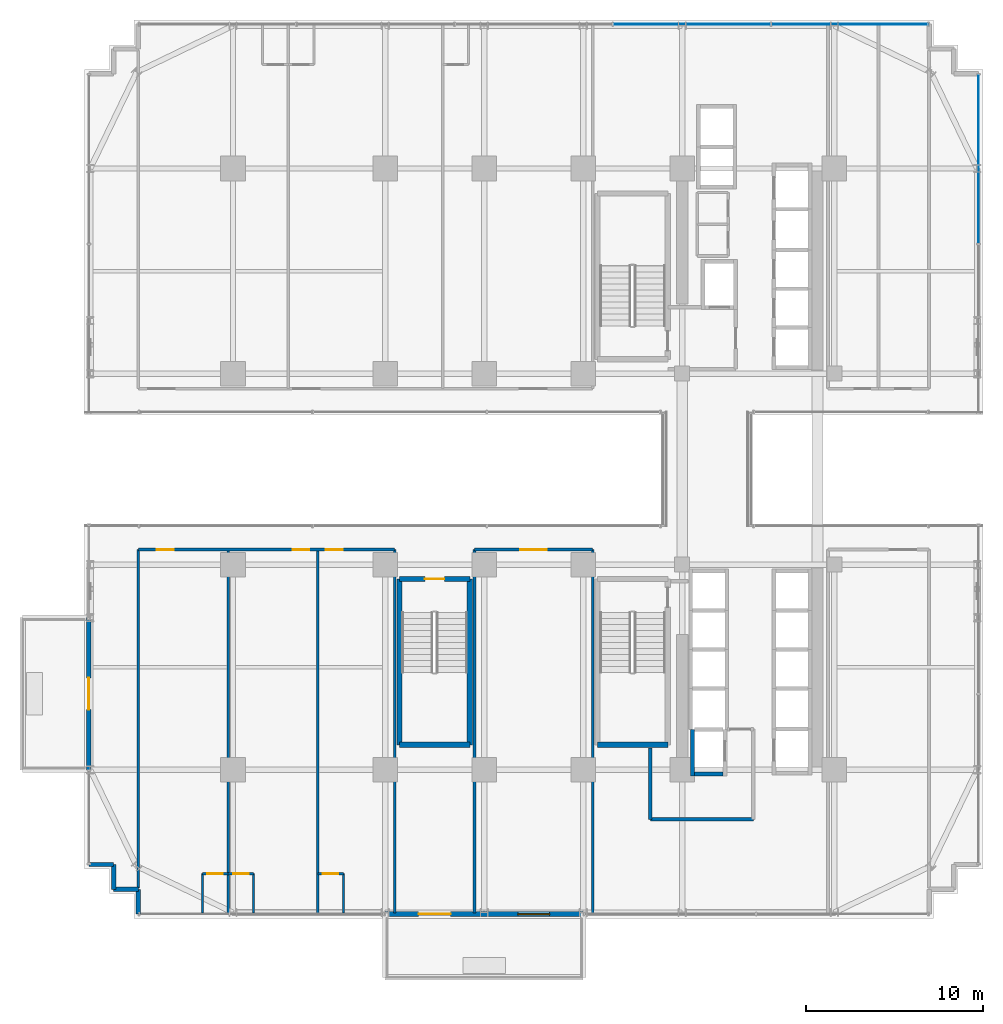
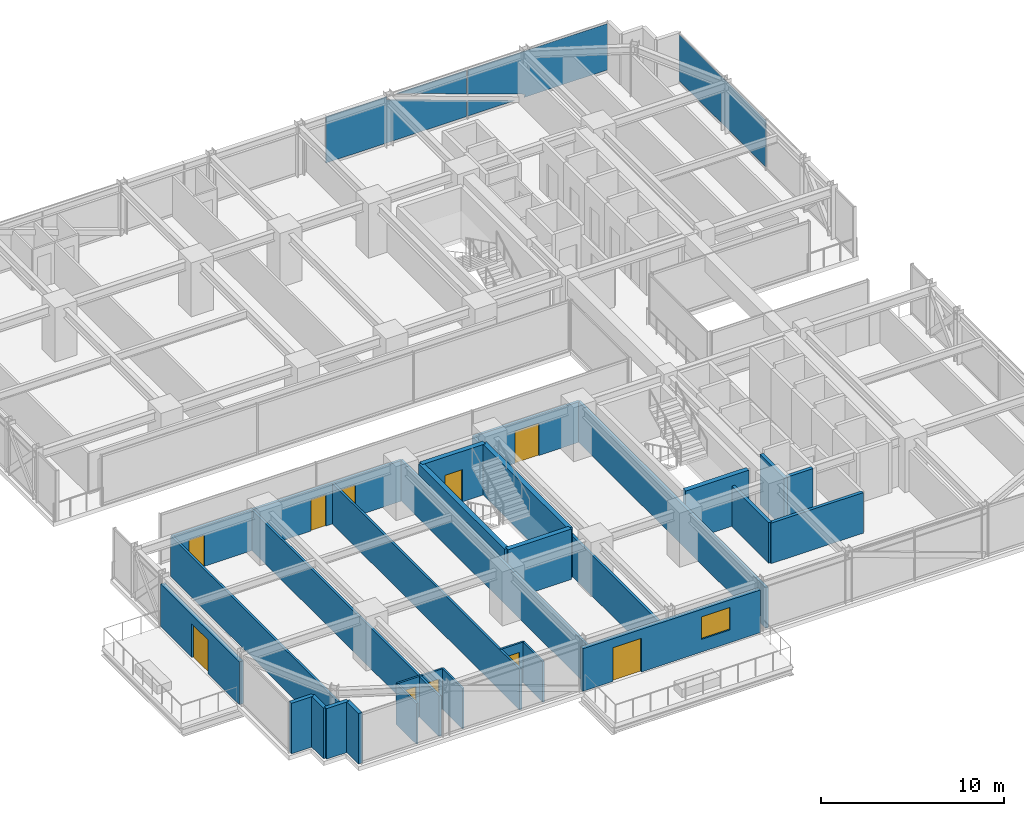
# One storey, part 31 of 38: 29 walls, 10 doors, 3 plates, 1 window, 11 openings, 2 elements without a shape of their own.
"""IFC4 building model written with IfcOpenShell, lengths in metres."""

from ifc_helpers import new_model, si_unit, direction, frame, frame_2d, origin, origin_2d, place, context, subcontext, project, spatial, polyline, rectangle, outline, extrude, source, transform, mapped, material, layer, layer_set, type_object, element, fill, aggregate, save


model = new_model("IFC4")

# Units and contexts
model_context = context("Model", 3, precision=1e-05, world=origin(), true_north=direction((0.0, 1.0)))
body_context = subcontext(model_context, "Body", "Model", "MODEL_VIEW")
ifc_project = project(units=[si_unit("LENGTHUNIT", "METRE"), si_unit("AREAUNIT", "SQUARE_METRE"), si_unit("VOLUMEUNIT", "CUBIC_METRE"), si_unit("PLANEANGLEUNIT", "RADIAN"), si_unit("MASSUNIT", "GRAM", prefix="KILO")], contexts=[model_context])

# Site, building, storey
site_placement = place(None, origin())
site = spatial("IfcSite", under=ifc_project, at=site_placement, CompositionType="ELEMENT")
building_placement = place(site_placement, origin())
building = spatial("IfcBuilding", under=site, at=building_placement, Name="Nahalor Promenade Grand Hotel", CompositionType="ELEMENT")
storey_placement = place(building_placement, frame((0.0, 0.0, 50.64990234375)))
storey = spatial("IfcBuildingStorey", under=building, at=storey_placement, Name="L11", CompositionType="ELEMENT", Elevation=50.64990234375)

# Curtain wall, plates
ifc_material_1 = material(Name="Anodised Bronze Aluminium EN AW-6063 T6", Category="aluminium")
curtain_wall_type = type_object("IfcCurtainWallType", Name="CW3 Elliptical-Void Collar Unitised Curtain Wall", PredefinedType="USERDEFINED", material=ifc_material_1)
curtain_wall_1_placement = place(storey_placement, origin())
curtain_wall_1 = element("IfcCurtainWall", 1, at=curtain_wall_1_placement, inside=storey, type_object=curtain_wall_type, Name="L11 Curtain Wall CW-L11-N-1", ObjectType="UNITISED_CURTAIN_WALL", PredefinedType="USERDEFINED")
ifc_material_2 = material(Name="Low-E Laminated Solar Glass", Category="glass")
ifc_layer_1 = layer(ifc_material_2, 0.030029296875)
ifc_layer_set_1 = layer_set([ifc_layer_1], Name="Low-E Laminated Solar Glass")
plate_type = type_object("IfcPlateType", Name="CWP3 High-Wind Laminated Bronze IGU 30mm", PredefinedType="CURTAIN_PANEL", material=ifc_layer_set_1)
plate_1_placement = place(storey_placement, frame((8.944091796875, 25.159912109375, 0.14013671875), z_axis=(0.0, 0.0, 1.0), x_axis=(1.0, 0.0, 0.0)))
plate_1 = element("IfcPlate", 2, at=plate_1_placement, type_object=plate_type, Name="CW-L11-N-1 Glazing Panel 3-0", PredefinedType="CURTAIN_PANEL", context=body_context, shape_type="SweptSolid", body=[
    extrude(outline(polyline([(-4.43701171875, 0.0), (4.43701171875, 0.0), (4.43701171875, 1.089599609375), (-0.634765625, 2.900146484375), (-0.56689453125, 3.090087890625), (-4.43701171875, 3.090087890625), (-4.43701171875, 0.0)])), frame((0.0, 0.01513671875, 0.0), z_axis=(0.0, -1.0, 0.0), x_axis=(1.0, 0.0, 0.0)), (0.0, 0.0, 1.0), 0.030029296875),
    extrude(outline(polyline([(4.43701171875, 1.51416015625), (4.43701171875, 3.090087890625), (0.02294921875, 3.090087890625), (4.43701171875, 1.51416015625)])), frame((0.0, 0.01513671875, 0.0), z_axis=(0.0, -1.0, 0.0), x_axis=(1.0, 0.0, 0.0)), (0.0, 0.0, 1.0), 0.030029296875),
])
plate_2_placement = place(storey_placement, frame((17.87060546875, 25.159912109375, 0.14013671875), z_axis=(0.0, 0.0, 1.0), x_axis=(1.0, 0.0, 0.0)))
plate_2 = element("IfcPlate", 3, at=plate_2_placement, type_object=plate_type, Name="CW-L11-N-1 Glazing Panel 4-0", PredefinedType="CURTAIN_PANEL", context=body_context, shape_type="SweptSolid", body=[
    extrude(outline(polyline([(4.41943359375, 3.090087890625), (-4.41943359375, 3.090087890625), (-4.41943359375, 1.4892578125), (-0.77978515625, 0.18994140625), (-0.847412109375, 0.0), (4.41943359375, 0.0), (4.41943359375, 3.090087890625)])), frame((0.0, 0.01513671875, 0.0), z_axis=(0.0, -1.0, 0.0), x_axis=(1.0, 0.0, 0.0)), (0.0, 0.0, 1.0), 0.030029296875),
    extrude(outline(polyline([(-4.41943359375, 1.064453125), (-4.41943359375, 0.0), (-1.437255859375, 0.0), (-4.41943359375, 1.064453125)])), frame((0.0, 0.01513671875, 0.0), z_axis=(0.0, -1.0, 0.0), x_axis=(1.0, 0.0, 0.0)), (0.0, 0.0, 1.0), 0.030029296875),
])
aggregate(curtain_wall_1, [plate_1, plate_2])

# Curtain wall, plate
curtain_wall_2_placement = place(storey_placement, origin())
curtain_wall_2 = element("IfcCurtainWall", 4, at=curtain_wall_2_placement, inside=storey, type_object=curtain_wall_type, Name="L11 Curtain Wall CW-L11-E-2", ObjectType="UNITISED_CURTAIN_WALL", PredefinedType="USERDEFINED")
shared_shape_1 = source(origin(), body_context, "Body", "SweptSolid", [
    extrude(rectangle(XDim=9.52490234375, YDim=0.030029296875, at=origin_2d()), origin(), (0.0, 0.0, 1.0), 3.090087890625),
])
plate_3_placement = place(storey_placement, frame((25.159912109375, 17.527587890625, 0.14013671875), z_axis=(0.0, 0.0, 1.0), x_axis=(0.0, 1.0, 0.0)))
plate_3 = element("IfcPlate", 5, at=plate_3_placement, type_object=plate_type, Name="CW-L11-E-2 Glazing Panel 1-0", PredefinedType="CURTAIN_PANEL", context=body_context, shape_type="MappedRepresentation", body=[
    mapped(shared_shape_1, transform((0.0, 0.0, 0.0), scale=1.0)),
])
aggregate(curtain_wall_2, [plate_3])

# Walls
ifc_material_3 = material(Name="Concrete B-50 (C40/50)", Category="concrete")
ifc_layer_2 = layer(ifc_material_3, 0.300048828125)
ifc_layer_set_2 = layer_set([ifc_layer_2], Name="Concrete B-50 (C40/50)")
wall_type_1 = type_object("IfcWallType", Name="Wall-ShaftShear-300", PredefinedType="SHEAR", material=ifc_layer_set_2)
shared_shape_2 = source(origin(), body_context, "Body", "SweptSolid", [
    extrude(rectangle(XDim=3.97998046875, YDim=0.300048828125, at=frame_2d((1.989990234375, 0.0))), origin(), (0.0, 0.0, 1.0), 3.3701171875),
])
for number, where, z_axis, x_axis, name in (
    (6, (3.610107421875, -15.590087890625, 0.0), (0.0, 0.0, 1.0), (1.0, 0.0, 0.0), "L11 Exit Stair ST2 Shaft Wall S"),
    (7, (-7.590087890625, -15.590087890625, 0.0), (0.0, 0.0, 1.0), (1.0, 0.0, 0.0), "L11 Exit Stair ST3 Shaft Wall S"),
):
    element("IfcWall", number, at=place(storey_placement, frame(where, z_axis=z_axis, x_axis=x_axis)), inside=storey, type_object=wall_type_1, Name=name, PredefinedType="SHEAR", context=body_context, shape_type="MappedRepresentation", body=[
        mapped(shared_shape_2, transform((0.0, 0.0, 0.0), scale=1.0)),
    ])

# Wall, opening, door
wall_1_placement = place(storey_placement, frame((-7.590087890625, -6.2099609375, 0.0), z_axis=(0.0, 0.0, 1.0), x_axis=(1.0, 0.0, 0.0)))
wall_1 = element("IfcWall", 8, at=wall_1_placement, inside=storey, type_object=wall_type_1, Name="L11 Exit Stair ST3 Shaft Wall N", PredefinedType="SHEAR", context=body_context, shape_type="MappedRepresentation", body=[
    mapped(shared_shape_2, transform((0.0, 0.0, 0.0), scale=1.0)),
])
opening_1_placement = place(wall_1_placement, frame((1.43994140625, 0.0, 0.0)))
opening_1 = element("IfcOpeningElement", 9, at=opening_1_placement, cuts=wall_1, Name="Opening D-ST1", PredefinedType="OPENING", context=body_context, shape_type="SweptSolid", body=[
    extrude(rectangle(XDim=1.10009765625, YDim=2.14990234375, at=frame_2d((0.550048828125, 1.074951171875))), frame((0.0, 0.159912109375, 0.0), z_axis=(0.0, -1.0, 0.0), x_axis=(1.0, 0.0, 0.0)), (0.0, 0.0, 1.0), 0.320068359375),
])
ifc_material_4 = material(Name="Steel S355JR", Category="steel")
door_type_1 = type_object("IfcDoorType", Name="Door-StairFire-1100", OperationType="NOTDEFINED", PredefinedType="DOOR", material=ifc_material_4)
shared_shape_3 = source(origin(), body_context, "Body", "SweptSolid", [
    extrude(rectangle(XDim=1.10009765625, YDim=2.14990234375, at=frame_2d((0.550048828125, 1.074951171875))), frame((0.0, 0.02490234375, 0.0), z_axis=(0.0, -1.0, 0.0), x_axis=(1.0, 0.0, 0.0)), (0.0, 0.0, 1.0), 0.050048828125),
])
door_1_placement = place(opening_1_placement, frame((1.10009765625, 0.0, 0.0), z_axis=(0.0, 0.0, 1.0), x_axis=(-1.0, 0.0, 0.0)))
door_1 = element("IfcDoor", 10, at=door_1_placement, inside=storey, type_object=door_type_1, Name="DR-STAIR-ST3-L11", OperationType="SINGLE_SWING_RIGHT", OverallHeight=2.14990234375, OverallWidth=1.10009765625, PredefinedType="DOOR", context=body_context, shape_type="MappedRepresentation", body=[
    mapped(shared_shape_3, transform((0.0, 0.0, 0.0), scale=1.0)),
])
fill(opening_1, door_1)

# Walls
shared_shape_4 = source(origin(), body_context, "Body", "SweptSolid", [
    extrude(rectangle(XDim=9.380126953125, YDim=0.300048828125, at=frame_2d((4.68994140625, 0.0))), origin(), (0.0, 0.0, 1.0), 3.3701171875),
])
for number, where, z_axis, x_axis, name in (
    (11, (-7.590087890625, -15.590087890625, 0.0), (0.0, 0.0, 1.0), (0.0, 1.0, 0.0), "L11 Exit Stair ST3 Shaft Wall W"),
    (12, (-3.610107421875, -15.590087890625, 0.0), (0.0, 0.0, 1.0), (0.0, 1.0, 0.0), "L11 Exit Stair ST3 Shaft Wall E"),
):
    element("IfcWall", number, at=place(storey_placement, frame(where, z_axis=z_axis, x_axis=x_axis)), inside=storey, type_object=wall_type_1, Name=name, PredefinedType="SHEAR", context=body_context, shape_type="MappedRepresentation", body=[
        mapped(shared_shape_4, transform((0.0, 0.0, 0.0), scale=1.0)),
    ])
ifc_layer_3 = layer(ifc_material_3, 0.219970703125)
ifc_layer_set_3 = layer_set([ifc_layer_3], Name="Concrete B-50 (C40/50)")
wall_type_2 = type_object("IfcWallType", Name="Wall-LiftShaft-220", PredefinedType="SHEAR", material=ifc_layer_set_3)
shared_shape_5 = source(origin(), body_context, "Body", "SweptSolid", [
    extrude(rectangle(XDim=2.635009765625, YDim=0.219970703125, at=frame_2d((1.3173828125, 0.0))), origin(), (0.0, 0.0, 1.0), 3.3701171875),
])
wall_2_placement = place(storey_placement, frame((8.97998046875, -17.360107421875, 0.0), z_axis=(0.0, 0.0, 1.0), x_axis=(0.0, 1.0, 0.0)))
element("IfcWall", 13, at=wall_2_placement, inside=storey, type_object=wall_type_2, Name="L11 Lift FL2 Hoistway Wall W", PredefinedType="SHEAR", context=body_context, shape_type="MappedRepresentation", body=[
    mapped(shared_shape_5, transform((0.0, 0.0, 0.0), scale=1.0)),
])
shared_shape_6 = source(origin(), body_context, "Body", "SweptSolid", [
    extrude(rectangle(XDim=1.619873046875, YDim=0.219970703125, at=frame_2d((0.81005859375, 0.0))), origin(), (0.0, 0.0, 1.0), 3.3701171875),
])
wall_3_placement = place(storey_placement, frame((9.090087890625, -17.25, 0.0), z_axis=(0.0, 0.0, 1.0), x_axis=(1.0, 0.0, 0.0)))
element("IfcWall", 14, at=wall_3_placement, inside=storey, type_object=wall_type_2, Name="L11 Lift FL2 Hoistway Wall S", PredefinedType="SHEAR", context=body_context, shape_type="MappedRepresentation", body=[
    mapped(shared_shape_6, transform((0.0, 0.0, 0.0), scale=1.0)),
])
ifc_material_5 = material(Name="Concrete B-40 (C32/40)", Category="concrete")
ifc_layer_4 = layer(ifc_material_5, 0.25)
ifc_layer_set_4 = layer_set([ifc_layer_4], Name="Concrete B-40 (C32/40)")
wall_type_3 = type_object("IfcWallType", Name="Wall-BronzePier-250", PredefinedType="STANDARD", material=ifc_layer_set_4)
shared_shape_7 = source(origin(), body_context, "Body", "SweptSolid", [
    extrude(rectangle(XDim=1.39990234375, YDim=0.25, at=frame_2d((0.699951171875, 0.0))), origin(), (0.0, 0.0, 1.0), 3.3701171875),
])
for number, where, z_axis, x_axis, name in (
    (15, (-25.159912109375, -22.360107421875, 0.0), (0.0, 0.0, 1.0), (1.0, 0.0, 0.0), "W-L11-SR-13"),
    (16, (-23.760009765625, -23.760009765625, 0.0), (0.0, 0.0, 1.0), (0.0, 1.0, 0.0), "W-L11-SR-14"),
    (17, (-23.760009765625, -23.760009765625, 0.0), (0.0, 0.0, 1.0), (1.0, 0.0, 0.0), "W-L11-SR-15"),
    (18, (-22.360107421875, -25.159912109375, 0.0), (0.0, 0.0, 1.0), (0.0, 1.0, 0.0), "W-L11-SR-16"),
):
    element("IfcWall", number, at=place(storey_placement, frame(where, z_axis=z_axis, x_axis=x_axis)), inside=storey, type_object=wall_type_3, Name=name, PredefinedType="STANDARD", context=body_context, shape_type="MappedRepresentation", body=[
        mapped(shared_shape_7, transform((0.0, 0.0, 0.0), scale=1.0)),
    ])

# Wall, opening, door
ifc_layer_5 = layer(ifc_material_5, 0.260009765625)
ifc_layer_set_5 = layer_set([ifc_layer_5], Name="Concrete B-40 (C32/40)")
wall_type_4 = type_object("IfcWallType", Name="Wall-BalconyWall-260", PredefinedType="STANDARD", material=ifc_layer_set_5)
shared_shape_8 = source(origin(), body_context, "Body", "SweptSolid", [
    extrude(rectangle(XDim=8.60009765625, YDim=0.260009765625, at=frame_2d((4.300048828125, 0.0))), origin(), (0.0, 0.0, 1.0), 2.85009765625),
])
wall_4_placement = place(storey_placement, frame((-25.159912109375, -17.0, 0.0), z_axis=(0.0, 0.0, 1.0), x_axis=(0.0, 1.0, 0.0)))
wall_4 = element("IfcWall", 19, at=wall_4_placement, inside=storey, type_object=wall_type_4, Name="W-L11-BALC-W-2", PredefinedType="STANDARD", context=body_context, shape_type="MappedRepresentation", body=[
    mapped(shared_shape_8, transform((0.0, 0.0, 0.0), scale=1.0)),
])
opening_2_placement = place(wall_4_placement, frame((3.39990234375, 0.0, 0.0)))
opening_2 = element("IfcOpeningElement", 20, at=opening_2_placement, cuts=wall_4, Name="Opening D-BC1", PredefinedType="OPENING", context=body_context, shape_type="SweptSolid", body=[
    extrude(rectangle(XDim=1.800048828125, YDim=2.25, at=frame_2d((0.89990234375, 1.125))), frame((0.0, 0.139892578125, 0.0), z_axis=(0.0, -1.0, 0.0), x_axis=(1.0, 0.0, 0.0)), (0.0, 0.0, 1.0), 0.280029296875),
])
door_type_2 = type_object("IfcDoorType", Name="Door-BalconySlide-1800", OperationType="DOUBLE_DOOR_SLIDING", PredefinedType="DOOR", material=ifc_material_1)
shared_shape_9 = source(origin(), body_context, "Body", "SweptSolid", [
    extrude(rectangle(XDim=1.800048828125, YDim=2.25, at=frame_2d((0.89990234375, 1.125))), frame((0.0, 0.02490234375, 0.0), z_axis=(0.0, -1.0, 0.0), x_axis=(1.0, 0.0, 0.0)), (0.0, 0.0, 1.0), 0.050048828125),
])
door_2_placement = place(opening_2_placement, origin())
door_2 = element("IfcDoor", 21, at=door_2_placement, inside=storey, type_object=door_type_2, Name="DR-L11-BALC-W-2", OperationType="DOUBLE_DOOR_SLIDING", OverallHeight=2.25, OverallWidth=1.800048828125, PredefinedType="DOOR", context=body_context, shape_type="MappedRepresentation", body=[
    mapped(shared_shape_9, transform((0.0, 0.0, 0.0), scale=1.0)),
])
fill(opening_2, door_2)

# Wall, openings, door, window
shared_shape_10 = source(origin(), body_context, "Body", "SweptSolid", [
    extrude(rectangle(XDim=11.199951171875, YDim=0.260009765625, at=frame_2d((5.60009765625, 0.0))), origin(), (0.0, 0.0, 1.0), 2.85009765625),
])
wall_5_placement = place(storey_placement, frame((-8.39990234375, -25.159912109375, 0.0), z_axis=(0.0, 0.0, 1.0), x_axis=(1.0, 0.0, 0.0)))
wall_5 = element("IfcWall", 22, at=wall_5_placement, inside=storey, type_object=wall_type_4, Name="W-L11-BALC-S-2", PredefinedType="STANDARD", context=body_context, shape_type="MappedRepresentation", body=[
    mapped(shared_shape_10, transform((0.0, 0.0, 0.0), scale=1.0)),
])
opening_3_placement = place(wall_5_placement, frame((1.89990234375, 0.0, 0.0)))
opening_3 = element("IfcOpeningElement", 23, at=opening_3_placement, cuts=wall_5, Name="Opening D-BC1", PredefinedType="OPENING", context=body_context, shape_type="SweptSolid", body=[
    extrude(rectangle(XDim=1.800048828125, YDim=2.25, at=frame_2d((0.89990234375, 1.125))), frame((0.0, 0.139892578125, 0.0), z_axis=(0.0, -1.0, 0.0), x_axis=(1.0, 0.0, 0.0)), (0.0, 0.0, 1.0), 0.280029296875),
])
opening_4_placement = place(wall_5_placement, frame((7.5, 0.0, 0.85009765625)))
opening_4 = element("IfcOpeningElement", 24, at=opening_4_placement, cuts=wall_5, Name="Opening WN-01", PredefinedType="OPENING", context=body_context, shape_type="SweptSolid", body=[
    extrude(rectangle(XDim=1.800048828125, YDim=1.5, at=frame_2d((0.89990234375, 0.75))), frame((0.0, 0.139892578125, 0.0), z_axis=(0.0, -1.0, 0.0), x_axis=(1.0, 0.0, 0.0)), (0.0, 0.0, 1.0), 0.280029296875),
])
door_3_placement = place(opening_3_placement, frame((1.800048828125, 0.0, 0.0), z_axis=(0.0, 0.0, 1.0), x_axis=(-1.0, 0.0, 0.0)))
door_3 = element("IfcDoor", 25, at=door_3_placement, inside=storey, type_object=door_type_2, Name="DR-L11-BALC-S-2", OperationType="DOUBLE_DOOR_SLIDING", OverallHeight=2.25, OverallWidth=1.800048828125, PredefinedType="DOOR", context=body_context, shape_type="MappedRepresentation", body=[
    mapped(shared_shape_9, transform((0.0, 0.0, 0.0), scale=1.0)),
])
fill(opening_3, door_3)
window_type = type_object("IfcWindowType", Name="Win-ChicagoBay-1800x1500", PartitioningType="SINGLE_PANEL", PredefinedType="WINDOW", material=ifc_material_2)
shared_shape_11 = source(origin(), body_context, "Body", "SweptSolid", [
    extrude(rectangle(XDim=1.800048828125, YDim=1.5, at=frame_2d((0.89990234375, 0.75))), frame((0.0, 0.030029296875, 0.0), z_axis=(0.0, -1.0, 0.0), x_axis=(1.0, 0.0, 0.0)), (0.0, 0.0, 1.0), 0.06005859375),
])
window_placement = place(opening_4_placement, origin())
window = element("IfcWindow", 26, at=window_placement, inside=storey, type_object=window_type, Name="WN-L11-BALC-S-2-1", OverallHeight=1.5, OverallWidth=1.800048828125, PartitioningType="SINGLE_PANEL", PredefinedType="WINDOW", context=body_context, shape_type="MappedRepresentation", body=[
    mapped(shared_shape_11, transform((0.0, 0.0, 0.0), scale=1.0)),
])
fill(opening_4, window)

# Walls
ifc_layer_6 = layer(ifc_material_5, 0.199951171875)
ifc_layer_set_6 = layer_set([ifc_layer_6], Name="Concrete B-40 (C32/40)")
wall_type_5 = type_object("IfcWallType", Name="Wall-PartFire-200", PredefinedType="PARTITIONING", material=ifc_layer_set_6)
shared_shape_12 = source(origin(), body_context, "Body", "SweptSolid", [
    extrude(rectangle(XDim=5.81982421875, YDim=0.199951171875, at=frame_2d((2.909912109375, 0.0))), origin(), (0.0, 0.0, 1.0), 2.710205078125),
])
wall_6_placement = place(storey_placement, frame((6.60009765625, -19.800048828125, 0.0), z_axis=(0.0, 0.0, 1.0), x_axis=(1.0, 0.0, 0.0)))
element("IfcWall", 27, at=wall_6_placement, inside=storey, type_object=wall_type_5, Name="W-L11-FF2-S1", PredefinedType="PARTITIONING", context=body_context, shape_type="MappedRepresentation", body=[
    mapped(shared_shape_12, transform((0.0, 0.0, 0.0), scale=1.0)),
])
shared_shape_13 = source(origin(), body_context, "Body", "SweptSolid", [
    extrude(rectangle(XDim=4.030029296875, YDim=0.199951171875, at=frame_2d((2.01513671875, 0.0))), origin(), (0.0, 0.0, 1.0), 2.710205078125),
])
wall_7_placement = place(storey_placement, frame((6.60009765625, -19.800048828125, 0.0), z_axis=(0.0, 0.0, 1.0), x_axis=(0.0, 1.0, 0.0)))
element("IfcWall", 28, at=wall_7_placement, inside=storey, type_object=wall_type_5, Name="W-L11-FF2-W1", PredefinedType="PARTITIONING", context=body_context, shape_type="MappedRepresentation", body=[
    mapped(shared_shape_13, transform((0.0, 0.0, 0.0), scale=1.0)),
])
ifc_material_6 = material(Name="Acoustic Mineral Gypsum", Category="gypsum")
ifc_layer_7 = layer(ifc_material_6, 0.159912109375)
ifc_layer_set_7 = layer_set([ifc_layer_7], Name="Acoustic Mineral Gypsum")
wall_type_6 = type_object("IfcWallType", Name="Wall-PartCorridor-160", PredefinedType="PARTITIONING", material=ifc_layer_set_7)
shared_shape_14 = source(origin(), body_context, "Body", "SweptSolid", [
    extrude(rectangle(XDim=20.550048828125, YDim=0.159912109375, at=frame_2d((10.27490234375, 0.0))), origin(), (0.0, 0.0, 1.0), 2.710205078125),
])
for number, where, z_axis, x_axis, name in (
    (29, (-3.340087890625, -25.10009765625, 0.0), (0.0, 0.0, 1.0), (0.0, 1.0, 0.0), "W-L11-SCB-W"),
    (30, (3.340087890625, -25.10009765625, 0.0), (0.0, 0.0, 1.0), (0.0, 1.0, 0.0), "W-L11-SCB-E"),
):
    element("IfcWall", number, at=place(storey_placement, frame(where, z_axis=z_axis, x_axis=x_axis)), inside=storey, type_object=wall_type_6, Name=name, PredefinedType="PARTITIONING", context=body_context, shape_type="MappedRepresentation", body=[
        mapped(shared_shape_14, transform((0.0, 0.0, 0.0), scale=1.0)),
    ])
ifc_layer_8 = layer(ifc_material_6, 0.139892578125)
ifc_layer_set_8 = layer_set([ifc_layer_8], Name="Acoustic Mineral Gypsum")
wall_type_7 = type_object("IfcWallType", Name="Wall-PartSuite-140", PredefinedType="PARTITIONING", material=ifc_layer_set_8)
shared_shape_15 = source(origin(), body_context, "Body", "SweptSolid", [
    extrude(rectangle(XDim=19.1298828125, YDim=0.139892578125, at=frame_2d((9.56494140625, 0.0))), origin(), (0.0, 0.0, 1.0), 2.710205078125),
])
wall_8_placement = place(storey_placement, frame((-22.360107421875, -23.679931640625, 0.0), z_axis=(0.0, 0.0, 1.0), x_axis=(0.0, 1.0, 0.0)))
element("IfcWall", 31, at=wall_8_placement, inside=storey, type_object=wall_type_7, Name="W-L11-SW-ENDW", PredefinedType="PARTITIONING", context=body_context, shape_type="MappedRepresentation", body=[
    mapped(shared_shape_15, transform((0.0, 0.0, 0.0), scale=1.0)),
])
shared_shape_16 = source(origin(), body_context, "Body", "SweptSolid", [
    extrude(rectangle(XDim=20.550048828125, YDim=0.139892578125, at=frame_2d((10.27490234375, 0.0))), origin(), (0.0, 0.0, 1.0), 2.710205078125),
])
for number, where, z_axis, x_axis, name in (
    (32, (-7.860107421875, -25.10009765625, 0.0), (0.0, 0.0, 1.0), (0.0, 1.0, 0.0), "W-L11-SW-ENDE"),
    (33, (-17.284912109375, -25.10009765625, 0.0), (0.0, 0.0, 1.0), (0.0, 1.0, 0.0), "W-L11-SP-1"),
    (34, (-12.2099609375, -25.10009765625, 0.0), (0.0, 0.0, 1.0), (0.0, 1.0, 0.0), "W-L11-SP-2"),
):
    element("IfcWall", number, at=place(storey_placement, frame(where, z_axis=z_axis, x_axis=x_axis)), inside=storey, type_object=wall_type_7, Name=name, PredefinedType="PARTITIONING", context=body_context, shape_type="MappedRepresentation", body=[
        mapped(shared_shape_16, transform((0.0, 0.0, 0.0), scale=1.0)),
    ])

# Wall, opening, door
ifc_layer_9 = layer(ifc_material_6, 0.1201171875)
ifc_layer_set_9 = layer_set([ifc_layer_9], Name="Acoustic Mineral Gypsum")
wall_type_8 = type_object("IfcWallType", Name="Wall-PartBath-120", PredefinedType="PARTITIONING", material=ifc_layer_set_9)
shared_shape_17 = source(origin(), body_context, "Body", "SweptSolid", [
    extrude(rectangle(XDim=1.449951171875, YDim=0.1201171875, at=frame_2d((0.72509765625, 0.0))), origin(), (0.0, 0.0, 1.0), 2.710205078125),
])
wall_9_placement = place(storey_placement, frame((-17.284912109375, -22.8798828125, 0.0), z_axis=(0.0, 0.0, 1.0), x_axis=(1.0, 0.0, 0.0)))
wall_9 = element("IfcWall", 35, at=wall_9_placement, inside=storey, type_object=wall_type_8, Name="W-L11-S2-BH", PredefinedType="PARTITIONING", context=body_context, shape_type="MappedRepresentation", body=[
    mapped(shared_shape_17, transform((0.0, 0.0, 0.0), scale=1.0)),
])
opening_5_placement = place(wall_9_placement, frame((0.284912109375, 0.0, 0.0)))
opening_5 = element("IfcOpeningElement", 36, at=opening_5_placement, cuts=wall_9, Name="Opening D-03", PredefinedType="OPENING", context=body_context, shape_type="SweptSolid", body=[
    extrude(rectangle(XDim=0.8798828125, YDim=2.10009765625, at=frame_2d((0.43994140625, 1.050048828125))), frame((0.0, 0.070068359375, 0.0), z_axis=(0.0, -1.0, 0.0), x_axis=(1.0, 0.0, 0.0)), (0.0, 0.0, 1.0), 0.14013671875),
])
ifc_material_7 = material(Name="Fire-Rated Timber Composite", Category="wood")
door_type_3 = type_object("IfcDoorType", Name="Door-BathSwing-880", OperationType="NOTDEFINED", PredefinedType="DOOR", material=ifc_material_7)
shared_shape_18 = source(origin(), body_context, "Body", "SweptSolid", [
    extrude(rectangle(XDim=0.8798828125, YDim=2.10009765625, at=frame_2d((0.43994140625, 1.050048828125))), frame((0.0, 0.02490234375, 0.0), z_axis=(0.0, -1.0, 0.0), x_axis=(1.0, 0.0, 0.0)), (0.0, 0.0, 1.0), 0.050048828125),
])
door_4_placement = place(opening_5_placement, frame((0.8798828125, 0.0, 0.0), z_axis=(0.0, 0.0, 1.0), x_axis=(-1.0, 0.0, 0.0)))
door_4 = element("IfcDoor", 37, at=door_4_placement, inside=storey, type_object=door_type_3, Name="DR-L11-S2-BATH", OperationType="SINGLE_SWING_LEFT", OverallHeight=2.10009765625, OverallWidth=0.8798828125, PredefinedType="DOOR", context=body_context, shape_type="MappedRepresentation", body=[
    mapped(shared_shape_18, transform((0.0, 0.0, 0.0), scale=1.0)),
])
fill(opening_5, door_4)

wall_10_placement = place(storey_placement, frame((-12.2099609375, -22.8798828125, 0.0), z_axis=(0.0, 0.0, 1.0), x_axis=(1.0, 0.0, 0.0)))
wall_10 = element("IfcWall", 38, at=wall_10_placement, inside=storey, type_object=wall_type_8, Name="W-L11-S3-BH", PredefinedType="PARTITIONING", context=body_context, shape_type="MappedRepresentation", body=[
    mapped(shared_shape_17, transform((0.0, 0.0, 0.0), scale=1.0)),
])
opening_6_placement = place(wall_10_placement, frame((0.284912109375, 0.0, 0.0)))
opening_6 = element("IfcOpeningElement", 39, at=opening_6_placement, cuts=wall_10, Name="Opening D-03", PredefinedType="OPENING", context=body_context, shape_type="SweptSolid", body=[
    extrude(rectangle(XDim=0.8798828125, YDim=2.10009765625, at=frame_2d((0.43994140625, 1.050048828125))), frame((0.0, 0.070068359375, 0.0), z_axis=(0.0, -1.0, 0.0), x_axis=(1.0, 0.0, 0.0)), (0.0, 0.0, 1.0), 0.14013671875),
])
door_5_placement = place(opening_6_placement, frame((0.8798828125, 0.0, 0.0), z_axis=(0.0, 0.0, 1.0), x_axis=(-1.0, 0.0, 0.0)))
door_5 = element("IfcDoor", 40, at=door_5_placement, inside=storey, type_object=door_type_3, Name="DR-L11-S3-BATH", OperationType="SINGLE_SWING_LEFT", OverallHeight=2.10009765625, OverallWidth=0.8798828125, PredefinedType="DOOR", context=body_context, shape_type="MappedRepresentation", body=[
    mapped(shared_shape_18, transform((0.0, 0.0, 0.0), scale=1.0)),
])
fill(opening_6, door_5)

# Walls
shared_shape_19 = source(origin(), body_context, "Body", "SweptSolid", [
    extrude(rectangle(XDim=2.22021484375, YDim=0.1201171875, at=frame_2d((1.110107421875, 0.0))), origin(), (0.0, 0.0, 1.0), 2.710205078125),
])
for number, where, z_axis, x_axis, name in (
    (41, (-18.735107421875, -25.10009765625, 0.0), (0.0, 0.0, 1.0), (0.0, 1.0, 0.0), "W-L11-S1-BV"),
    (42, (-15.8349609375, -25.10009765625, 0.0), (0.0, 0.0, 1.0), (0.0, 1.0, 0.0), "W-L11-S2-BV"),
    (43, (-10.760009765625, -25.10009765625, 0.0), (0.0, 0.0, 1.0), (0.0, 1.0, 0.0), "W-L11-S3-BV"),
):
    element("IfcWall", number, at=place(storey_placement, frame(where, z_axis=z_axis, x_axis=x_axis)), inside=storey, type_object=wall_type_8, Name=name, PredefinedType="PARTITIONING", context=body_context, shape_type="MappedRepresentation", body=[
        mapped(shared_shape_19, transform((0.0, 0.0, 0.0), scale=1.0)),
    ])

# Wall, opening, door
shared_shape_20 = source(origin(), body_context, "Body", "SweptSolid", [
    extrude(rectangle(XDim=1.4501953125, YDim=0.1201171875, at=frame_2d((0.72509765625, 0.0))), origin(), (0.0, 0.0, 1.0), 2.710205078125),
])
wall_11_placement = place(storey_placement, frame((-18.735107421875, -22.8798828125, 0.0), z_axis=(0.0, 0.0, 1.0), x_axis=(1.0, 0.0, 0.0)))
wall_11 = element("IfcWall", 44, at=wall_11_placement, inside=storey, type_object=wall_type_8, Name="W-L11-S1-BH", PredefinedType="PARTITIONING", context=body_context, shape_type="MappedRepresentation", body=[
    mapped(shared_shape_20, transform((0.0, 0.0, 0.0), scale=1.0)),
])
opening_7_placement = place(wall_11_placement, frame((0.284912109375, 0.0, 0.0)))
opening_7 = element("IfcOpeningElement", 45, at=opening_7_placement, cuts=wall_11, Name="Opening D-03", PredefinedType="OPENING", context=body_context, shape_type="SweptSolid", body=[
    extrude(rectangle(XDim=0.8798828125, YDim=2.10009765625, at=frame_2d((0.43994140625, 1.050048828125))), frame((0.0, 0.070068359375, 0.0), z_axis=(0.0, -1.0, 0.0), x_axis=(1.0, 0.0, 0.0)), (0.0, 0.0, 1.0), 0.14013671875),
])
door_6_placement = place(opening_7_placement, frame((0.8798828125, 0.0, 0.0), z_axis=(0.0, 0.0, 1.0), x_axis=(-1.0, 0.0, 0.0)))
door_6 = element("IfcDoor", 46, at=door_6_placement, inside=storey, type_object=door_type_3, Name="DR-L11-S1-BATH", OperationType="SINGLE_SWING_LEFT", OverallHeight=2.10009765625, OverallWidth=0.8798828125, PredefinedType="DOOR", context=body_context, shape_type="MappedRepresentation", body=[
    mapped(shared_shape_18, transform((0.0, 0.0, 0.0), scale=1.0)),
])
fill(opening_7, door_6)

# Wall, openings, doors
shared_shape_21 = source(origin(), body_context, "Body", "SweptSolid", [
    extrude(rectangle(XDim=14.5, YDim=0.159912109375, at=frame_2d((7.25, 0.0))), origin(), (0.0, 0.0, 1.0), 2.710205078125),
])
wall_12_placement = place(storey_placement, frame((-22.360107421875, -4.550048828125, 0.0), z_axis=(0.0, 0.0, 1.0), x_axis=(1.0, 0.0, 0.0)))
wall_12 = element("IfcWall", 47, at=wall_12_placement, inside=storey, type_object=wall_type_6, Name="W-L11-CORR-S", PredefinedType="PARTITIONING", context=body_context, shape_type="MappedRepresentation", body=[
    mapped(shared_shape_21, transform((0.0, 0.0, 0.0), scale=1.0)),
])
opening_8_placement = place(wall_12_placement, frame((1.053955078125, 0.0, 0.0)))
opening_8 = element("IfcOpeningElement", 48, at=opening_8_placement, cuts=wall_12, Name="Opening D-01", PredefinedType="OPENING", context=body_context, shape_type="SweptSolid", body=[
    extrude(rectangle(XDim=0.949951171875, YDim=2.10009765625, at=frame_2d((0.47509765625, 1.050048828125))), frame((0.0, 0.08984375, 0.0), z_axis=(0.0, -1.0, 0.0), x_axis=(1.0, 0.0, 0.0)), (0.0, 0.0, 1.0), 0.179931640625),
])
opening_9_placement = place(wall_12_placement, frame((8.722900390625, 0.0, 0.0)))
opening_9 = element("IfcOpeningElement", 49, at=opening_9_placement, cuts=wall_12, Name="Opening D-01", PredefinedType="OPENING", context=body_context, shape_type="SweptSolid", body=[
    extrude(rectangle(XDim=0.949951171875, YDim=2.10009765625, at=frame_2d((0.47509765625, 1.050048828125))), frame((0.0, 0.08984375, 0.0), z_axis=(0.0, -1.0, 0.0), x_axis=(1.0, 0.0, 0.0)), (0.0, 0.0, 1.0), 0.179931640625),
])
opening_10_placement = place(wall_12_placement, frame((10.611083984375, 0.0, 0.0)))
opening_10 = element("IfcOpeningElement", 50, at=opening_10_placement, cuts=wall_12, Name="Opening D-01", PredefinedType="OPENING", context=body_context, shape_type="SweptSolid", body=[
    extrude(rectangle(XDim=0.949951171875, YDim=2.10009765625, at=frame_2d((0.47509765625, 1.050048828125))), frame((0.0, 0.08984375, 0.0), z_axis=(0.0, -1.0, 0.0), x_axis=(1.0, 0.0, 0.0)), (0.0, 0.0, 1.0), 0.179931640625),
])
door_type_4 = type_object("IfcDoorType", Name="Door-GuestEntry-950", OperationType="NOTDEFINED", PredefinedType="DOOR", material=ifc_material_7)
shared_shape_22 = source(origin(), body_context, "Body", "SweptSolid", [
    extrude(rectangle(XDim=0.949951171875, YDim=2.10009765625, at=frame_2d((0.47509765625, 1.050048828125))), frame((0.0, 0.02490234375, 0.0), z_axis=(0.0, -1.0, 0.0), x_axis=(1.0, 0.0, 0.0)), (0.0, 0.0, 1.0), 0.050048828125),
])
door_7_placement = place(opening_8_placement, frame((0.949951171875, 0.0, 0.0), z_axis=(0.0, 0.0, 1.0), x_axis=(-1.0, 0.0, 0.0)))
door_7 = element("IfcDoor", 51, at=door_7_placement, inside=storey, type_object=door_type_4, Name="DR-L11-S1-ENT", OperationType="SINGLE_SWING_RIGHT", OverallHeight=2.10009765625, OverallWidth=0.949951171875, PredefinedType="DOOR", context=body_context, shape_type="MappedRepresentation", body=[
    mapped(shared_shape_22, transform((0.0, 0.0, 0.0), scale=1.0)),
])
fill(opening_8, door_7)
door_8_placement = place(opening_9_placement, frame((0.949951171875, 0.0, 0.0), z_axis=(0.0, 0.0, 1.0), x_axis=(-1.0, 0.0, 0.0)))
door_8 = element("IfcDoor", 52, at=door_8_placement, inside=storey, type_object=door_type_4, Name="DR-L11-S2-ENT", OperationType="SINGLE_SWING_RIGHT", OverallHeight=2.10009765625, OverallWidth=0.949951171875, PredefinedType="DOOR", context=body_context, shape_type="MappedRepresentation", body=[
    mapped(shared_shape_22, transform((0.0, 0.0, 0.0), scale=1.0)),
])
fill(opening_9, door_8)
door_9_placement = place(opening_10_placement, frame((0.949951171875, 0.0, 0.0), z_axis=(0.0, 0.0, 1.0), x_axis=(-1.0, 0.0, 0.0)))
door_9 = element("IfcDoor", 53, at=door_9_placement, inside=storey, type_object=door_type_4, Name="DR-L11-S3-ENT", OperationType="SINGLE_SWING_RIGHT", OverallHeight=2.10009765625, OverallWidth=0.949951171875, PredefinedType="DOOR", context=body_context, shape_type="MappedRepresentation", body=[
    mapped(shared_shape_22, transform((0.0, 0.0, 0.0), scale=1.0)),
])
fill(opening_10, door_9)

# Wall, opening, door
shared_shape_23 = source(origin(), body_context, "Body", "SweptSolid", [
    extrude(rectangle(XDim=6.68017578125, YDim=0.159912109375, at=frame_2d((3.340087890625, 0.0))), origin(), (0.0, 0.0, 1.0), 2.710205078125),
])
wall_13_placement = place(storey_placement, frame((-3.340087890625, -4.550048828125, 0.0), z_axis=(0.0, 0.0, 1.0), x_axis=(1.0, 0.0, 0.0)))
wall_13 = element("IfcWall", 54, at=wall_13_placement, inside=storey, type_object=wall_type_6, Name="W-L11-SCB-N", PredefinedType="PARTITIONING", context=body_context, shape_type="MappedRepresentation", body=[
    mapped(shared_shape_23, transform((0.0, 0.0, 0.0), scale=1.0)),
])
opening_11_placement = place(wall_13_placement, frame((2.590087890625, 0.0, 0.0)))
opening_11 = element("IfcOpeningElement", 55, at=opening_11_placement, cuts=wall_13, Name="Opening D-02", PredefinedType="OPENING", context=body_context, shape_type="SweptSolid", body=[
    extrude(rectangle(XDim=1.5, YDim=2.14990234375, at=frame_2d((0.75, 1.074951171875))), frame((0.0, 0.08984375, 0.0), z_axis=(0.0, -1.0, 0.0), x_axis=(1.0, 0.0, 0.0)), (0.0, 0.0, 1.0), 0.179931640625),
])
door_type_5 = type_object("IfcDoorType", Name="Door-SuiteDouble-1500", OperationType="DOUBLE_DOOR_SINGLE_SWING", PredefinedType="DOOR", material=ifc_material_7)
shared_shape_24 = source(origin(), body_context, "Body", "SweptSolid", [
    extrude(rectangle(XDim=1.5, YDim=2.14990234375, at=frame_2d((0.75, 1.074951171875))), frame((0.0, 0.02490234375, 0.0), z_axis=(0.0, -1.0, 0.0), x_axis=(1.0, 0.0, 0.0)), (0.0, 0.0, 1.0), 0.050048828125),
])
door_10_placement = place(opening_11_placement, frame((1.5, 0.0, 0.0), z_axis=(0.0, 0.0, 1.0), x_axis=(-1.0, 0.0, 0.0)))
door_10 = element("IfcDoor", 56, at=door_10_placement, inside=storey, type_object=door_type_5, Name="DR-L11-SCB", OperationType="DOUBLE_DOOR_SINGLE_SWING", OverallHeight=2.14990234375, OverallWidth=1.5, PredefinedType="DOOR", context=body_context, shape_type="MappedRepresentation", body=[
    mapped(shared_shape_24, transform((0.0, 0.0, 0.0), scale=1.0)),
])
fill(opening_11, door_10)

save(model, "model.ifc")
